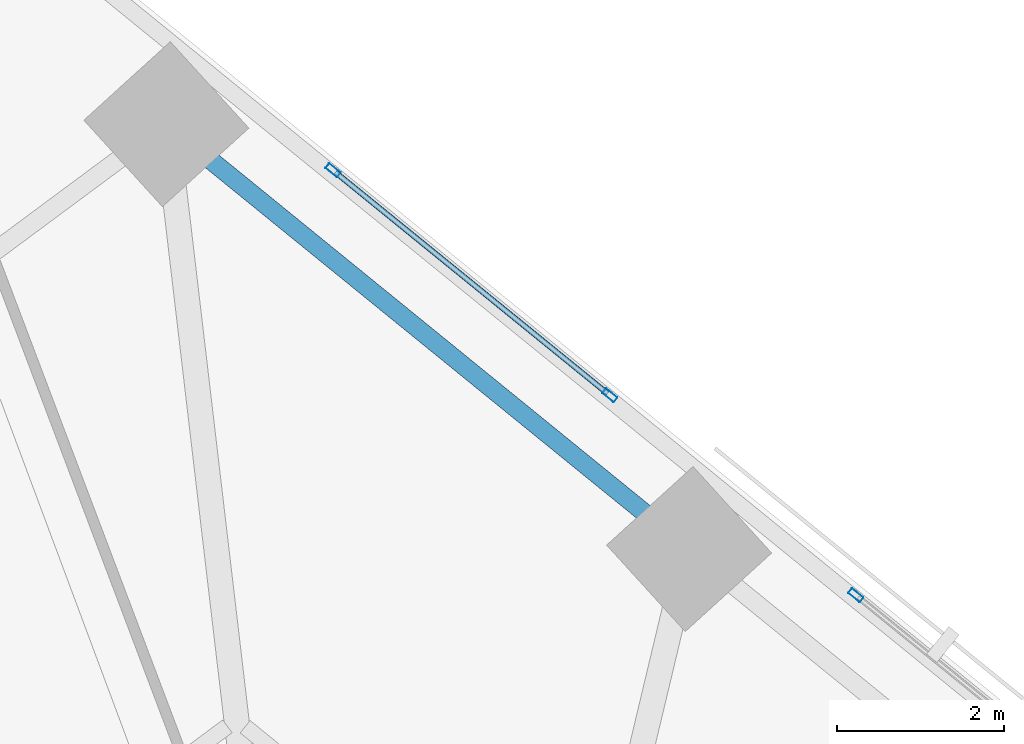
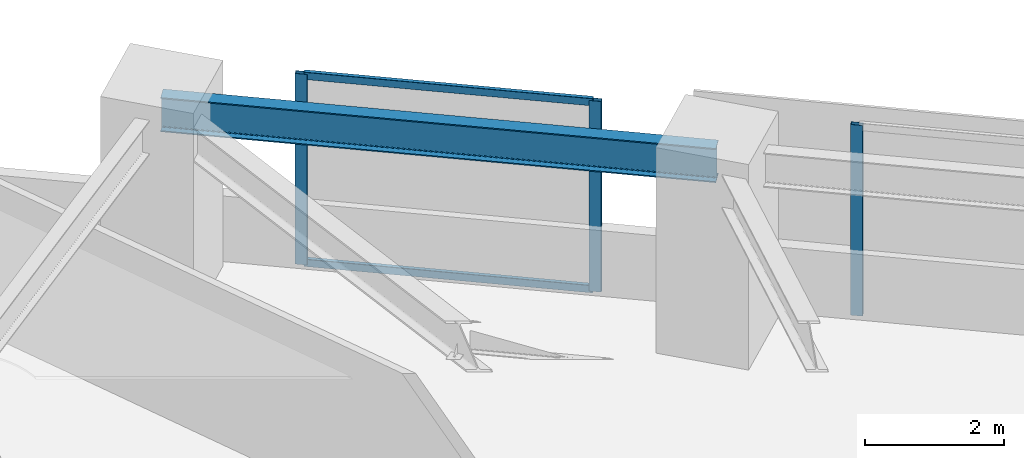
# One storey, part 9 of 18: 5 members, 1 beam, 2 elements without a shape of their own.
"""IFC4 building model written with IfcOpenShell, lengths in metres."""

from ifc_helpers import new_model, si_unit, direction, frame, origin, origin_2d, place, context, subcontext, project, spatial, hollow_rectangle, i_section, extrude, material, material_profile, profile_set, type_object, element, aggregate, save


model = new_model("IFC4")

# Units and contexts
model_context = context("Model", 3, precision=1e-05, world=origin(), true_north=direction((0.0, 1.0)))
body_context = subcontext(model_context, "Body", "Model", "MODEL_VIEW")
ifc_project = project(units=[si_unit("LENGTHUNIT", "METRE"), si_unit("AREAUNIT", "SQUARE_METRE"), si_unit("VOLUMEUNIT", "CUBIC_METRE"), si_unit("PLANEANGLEUNIT", "RADIAN"), si_unit("MASSUNIT", "GRAM", prefix="KILO")], contexts=[model_context])

# Site, building, storey
site_placement = place(None, origin())
site = spatial("IfcSite", under=ifc_project, at=site_placement, CompositionType="ELEMENT")
building_placement = place(site_placement, origin())
building = spatial("IfcBuilding", under=site, at=building_placement, Name="Narakoshi Arena Tower", CompositionType="ELEMENT")
storey_placement = place(building_placement, frame((0.0, 0.0, 44.699951171875)))
storey = spatial("IfcBuildingStorey", under=building, at=storey_placement, Name="L11", CompositionType="ELEMENT", Elevation=44.699951171875)

# Beam
ifc_material_1 = material(Name="Structural steel S355J2", Category="steel")
ifc_material_profile_1 = material_profile(ifc_material_1, i_section(OverallWidth=0.219970703125, OverallDepth=0.60009765625, WebThickness=0.011962890625, FlangeThickness=0.01904296875, FilletRadius=0.02392578125, at=origin_2d()), Name="IPE600")
ifc_profile_set_1 = profile_set([ifc_material_profile_1], Name="Structural steel S355J2")
beam_type = type_object("IfcBeamType", Name="BM-EDGE-600", PredefinedType="BEAM", material=ifc_profile_set_1)
beam_placement = place(storey_placement, frame((75.794189453125, 72.392333984375, 3.0400390625), z_axis=(-0.775993703931, 0.63074065309, 0.0), x_axis=(-0.63074065309, -0.775993703931, 0.0)))
element("IfcBeam", 1, at=beam_placement, inside=storey, type_object=beam_type, Name="L11 Perimeter Edge Girder 11", PredefinedType="BEAM", context=body_context, shape_type="SweptSolid", body=[
    extrude(i_section(OverallWidth=0.219970703125, OverallDepth=0.60009765625, WebThickness=0.011962890625, FlangeThickness=0.01904296875, FilletRadius=0.02392578125, at=origin_2d()), origin(), (0.0, 0.0, 1.0), 8.0712890625),
])

# Curtain wall, member
ifc_material_2 = material(Name="Anodised bronze aluminium 6063-T6", Category="aluminium")
curtain_wall_type = type_object("IfcCurtainWallType", Name="CW-HYP-LOW", PredefinedType="NOTDEFINED", material=ifc_material_2)
curtain_wall_1_placement = place(storey_placement, origin())
curtain_wall_1 = element("IfcCurtainWall", 2, at=curtain_wall_1_placement, inside=storey, type_object=curtain_wall_type, Name="L11 Folded Hypotenuse Curtain Wall 2-3", PredefinedType="NOTDEFINED")
ifc_material_profile_2 = material_profile(ifc_material_2, hollow_rectangle(XDim=0.074951171875, YDim=0.179931640625, WallThickness=0.00390625, OuterFilletRadius=0.0048828125, at=origin_2d()), Name="MUL180x75x4")
ifc_profile_set_2 = profile_set([ifc_material_profile_2], Name="Anodised bronze aluminium 6063-T6")
member_type_1 = type_object("IfcMemberType", Name="MEM-MUL-180", PredefinedType="MULLION", material=ifc_profile_set_2)
member_1_placement = place(storey_placement, frame((77.791015625, 71.8388671875, 0.0), z_axis=(0.0, 0.0, 1.0), x_axis=(-0.630722984816, -0.776008064665, 0.0)))
member_1 = element("IfcMember", 3, at=member_1_placement, type_object=member_type_1, Name="CW-01 mullion 2", PredefinedType="MULLION", context=body_context, shape_type="SweptSolid", body=[
    extrude(hollow_rectangle(XDim=0.074951171875, YDim=0.179931640625, WallThickness=0.00390625, OuterFilletRadius=0.0048828125, at=origin_2d()), origin(), (0.0, 0.0, 1.0), 3.340087890625),
])
aggregate(curtain_wall_1, [member_1])

# Curtain wall, members
curtain_wall_2_placement = place(storey_placement, origin())
curtain_wall_2 = element("IfcCurtainWall", 4, at=curtain_wall_2_placement, inside=storey, type_object=curtain_wall_type, Name="L11 Folded Hypotenuse Curtain Wall 2-4", PredefinedType="NOTDEFINED")
member_2_placement = place(storey_placement, frame((74.843994140625, 74.234130859375, 0.0), z_axis=(0.0, 0.0, 1.0), x_axis=(-0.630733728817, -0.775999332044, 0.0)))
member_2 = element("IfcMember", 5, at=member_2_placement, type_object=member_type_1, Name="CW-01 mullion 1", PredefinedType="MULLION", context=body_context, shape_type="SweptSolid", body=[
    extrude(hollow_rectangle(XDim=0.074951171875, YDim=0.179931640625, WallThickness=0.00390625, OuterFilletRadius=0.0048828125, at=origin_2d()), origin(), (0.0, 0.0, 1.0), 3.340087890625),
])
member_3_placement = place(storey_placement, frame((71.52783203125, 76.9296875, 0.0), z_axis=(0.0, 0.0, 1.0), x_axis=(-0.630733728817, -0.775999332044, 0.0)))
member_3 = element("IfcMember", 6, at=member_3_placement, type_object=member_type_1, Name="CW-01 mullion 2", PredefinedType="MULLION", context=body_context, shape_type="SweptSolid", body=[
    extrude(hollow_rectangle(XDim=0.074951171875, YDim=0.179931640625, WallThickness=0.00390625, OuterFilletRadius=0.0048828125, at=origin_2d()), origin(), (0.0, 0.0, 1.0), 3.340087890625),
])
ifc_material_profile_3 = material_profile(ifc_material_2, hollow_rectangle(XDim=0.06494140625, YDim=0.1298828125, WallThickness=0.00390625, OuterFilletRadius=0.0048828125, at=origin_2d()), Name="TRN130x65x4")
ifc_profile_set_3 = profile_set([ifc_material_profile_3], Name="Anodised bronze aluminium 6063-T6")
member_type_2 = type_object("IfcMemberType", Name="MEM-TRN-130", PredefinedType="USERDEFINED", material=ifc_profile_set_3)
member_4_placement = place(storey_placement, frame((74.81494140625, 74.2578125, 0.032470703125), z_axis=(-0.775994815564, 0.630739285457, 0.0), x_axis=(-0.630739285457, -0.775994815564, 0.0)))
member_4 = element("IfcMember", 7, at=member_4_placement, type_object=member_type_2, Name="CW-01 transom 1.1", ObjectType="TRANSOM", PredefinedType="USERDEFINED", context=body_context, shape_type="SweptSolid", body=[
    extrude(hollow_rectangle(XDim=0.06494140625, YDim=0.1298828125, WallThickness=0.00390625, OuterFilletRadius=0.0048828125, at=origin_2d()), origin(), (0.0, 0.0, 1.0), 4.198486328125),
])
member_5_placement = place(storey_placement, frame((74.81494140625, 74.2578125, 3.3076171875), z_axis=(-0.775994815564, 0.630739285457, 0.0), x_axis=(-0.630739285457, -0.775994815564, 0.0)))
member_5 = element("IfcMember", 8, at=member_5_placement, type_object=member_type_2, Name="CW-01 transom 1.2", ObjectType="TRANSOM", PredefinedType="USERDEFINED", context=body_context, shape_type="SweptSolid", body=[
    extrude(hollow_rectangle(XDim=0.06494140625, YDim=0.1298828125, WallThickness=0.00390625, OuterFilletRadius=0.0048828125, at=origin_2d()), origin(), (0.0, 0.0, 1.0), 4.198486328125),
])
aggregate(curtain_wall_2, [member_2, member_3, member_4, member_5])

save(model, "model.ifc")
